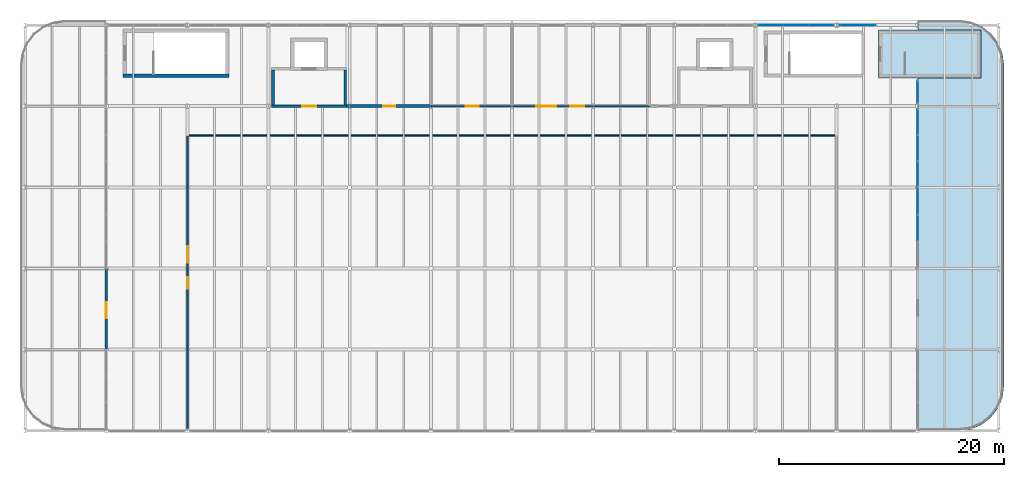
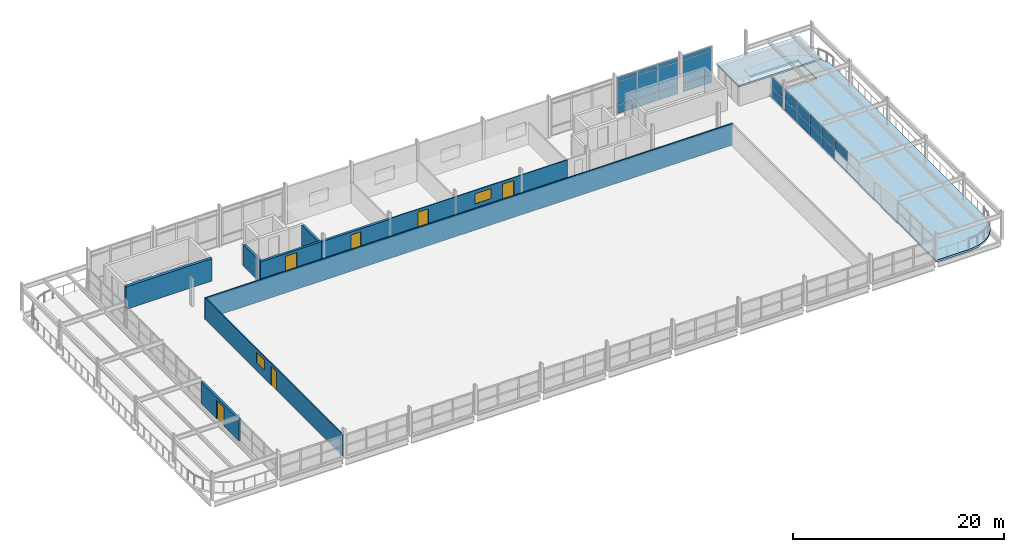
# One storey, part 20 of 25: 23 plates, 10 walls, 6 doors, 2 slabs, 2 windows, 8 openings, 5 elements without a shape of their own.
"""IFC4 building model written with IfcOpenShell, lengths in metres."""

from ifc_helpers import new_model, si_unit, direction, frame, frame_2d, origin, origin_2d, place, context, subcontext, project, spatial, polyline, rectangle, outline, extrude, material, layer, layer_set, type_object, element, fill, aggregate, save


model = new_model("IFC4")

# Units and contexts
model_context = context("Model", 3, precision=1e-05, world=origin(), true_north=direction((0.0, 1.0)))
body_context = subcontext(model_context, "Body", "Model", "MODEL_VIEW")
ifc_project = project(units=[si_unit("LENGTHUNIT", "METRE"), si_unit("AREAUNIT", "SQUARE_METRE"), si_unit("VOLUMEUNIT", "CUBIC_METRE"), si_unit("PLANEANGLEUNIT", "RADIAN"), si_unit("MASSUNIT", "GRAM", prefix="KILO")], contexts=[model_context])

# Site, building, storey
site_placement = place(None, origin())
site = spatial("IfcSite", under=ifc_project, at=site_placement, CompositionType="ELEMENT")
building_placement = place(site_placement, origin())
building = spatial("IfcBuilding", under=site, at=building_placement, Name="Vaelcorin Mobility Hub", CompositionType="ELEMENT")
storey_placement = place(building_placement, frame((0.0, 0.0, 21.0)))
storey = spatial("IfcBuildingStorey", under=building, at=storey_placement, Name="L05", CompositionType="ELEMENT", Elevation=21.0)

# Curtain wall, plates
ifc_material_1 = material(Name="Anodised aluminium 6063-T6", Category="aluminium")
curtain_wall_type = type_object("IfcCurtainWallType", Name="CW-SPT-B", PredefinedType="NOTDEFINED", material=ifc_material_1)
curtain_wall_1_placement = place(storey_placement, origin())
curtain_wall_1 = element("IfcCurtainWall", 1, at=curtain_wall_1_placement, inside=storey, type_object=curtain_wall_type, Name="L05 Curtain Wall CW-V3-E-03", PredefinedType="NOTDEFINED")
ifc_material_2 = material(Name="Low-E solar-control insulated glazing", Category="glass")
ifc_layer_1 = layer(ifc_material_2, 0.028076171875)
ifc_layer_set_1 = layer_set([ifc_layer_1], Name="Low-E solar-control insulated glazing")
plate_type_1 = type_object("IfcPlateType", Name="CW-PAN-GLZ28", PredefinedType="CURTAIN_PANEL", material=ifc_layer_set_1)
plate_1_placement = place(storey_placement, frame((115.199951171875, 104.383544921875, 0.06005859375), z_axis=(0.0, 0.0, 1.0), x_axis=(0.0, -1.0, 0.0)))
plate_1 = element("IfcPlate", 2, at=plate_1_placement, type_object=plate_type_1, Name="CW6 panel 1.1", PredefinedType="CURTAIN_PANEL", context=body_context, shape_type="SweptSolid", body=[
    extrude(rectangle(XDim=2.30859375, YDim=0.028076171875, at=origin_2d()), origin(), (0.0, 0.0, 1.0), 1.159912109375),
])
plate_2_placement = place(storey_placement, frame((115.199951171875, 104.383544921875, 1.2802734375), z_axis=(0.0, 0.0, 1.0), x_axis=(0.0, -1.0, 0.0)))
plate_2 = element("IfcPlate", 3, at=plate_2_placement, type_object=plate_type_1, Name="CW6 panel 1.2", PredefinedType="CURTAIN_PANEL", context=body_context, shape_type="SweptSolid", body=[
    extrude(rectangle(XDim=2.30859375, YDim=0.028076171875, at=origin_2d()), origin(), (0.0, 0.0, 1.0), 1.159912109375),
])
plate_3_placement = place(storey_placement, frame((115.199951171875, 102.0, 1.2802734375), z_axis=(0.0, 0.0, 1.0), x_axis=(0.0, -1.0, 0.0)))
plate_3 = element("IfcPlate", 4, at=plate_3_placement, type_object=plate_type_1, Name="CW6 panel 2.2", PredefinedType="CURTAIN_PANEL", context=body_context, shape_type="SweptSolid", body=[
    extrude(rectangle(XDim=2.338623046875, YDim=0.028076171875, at=origin_2d()), origin(), (0.0, 0.0, 1.0), 1.159912109375),
])
aggregate(curtain_wall_1, [plate_1, plate_2, plate_3])

curtain_wall_2_placement = place(storey_placement, origin())
curtain_wall_2 = element("IfcCurtainWall", 5, at=curtain_wall_2_placement, inside=storey, type_object=curtain_wall_type, Name="L05 Curtain Wall CW-V3-E-04", PredefinedType="NOTDEFINED")
plate_4_placement = place(storey_placement, frame((115.199951171875, 111.402099609375, 0.06005859375), z_axis=(0.0, 0.0, 1.0), x_axis=(0.0, -1.0, 0.0)))
plate_4 = element("IfcPlate", 6, at=plate_4_placement, type_object=plate_type_1, Name="CW6 panel 1.1", PredefinedType="CURTAIN_PANEL", context=body_context, shape_type="SweptSolid", body=[
    extrude(rectangle(XDim=2.236083984375, YDim=0.028076171875, at=origin_2d()), origin(), (0.0, 0.0, 1.0), 1.159912109375),
])
plate_5_placement = place(storey_placement, frame((115.199951171875, 111.402099609375, 1.2802734375), z_axis=(0.0, 0.0, 1.0), x_axis=(0.0, -1.0, 0.0)))
plate_5 = element("IfcPlate", 7, at=plate_5_placement, type_object=plate_type_1, Name="CW6 panel 1.2", PredefinedType="CURTAIN_PANEL", context=body_context, shape_type="SweptSolid", body=[
    extrude(rectangle(XDim=2.236083984375, YDim=0.028076171875, at=origin_2d()), origin(), (0.0, 0.0, 1.0), 1.159912109375),
])
plate_6_placement = place(storey_placement, frame((115.199951171875, 109.091064453125, 0.06005859375), z_axis=(0.0, 0.0, 1.0), x_axis=(0.0, -1.0, 0.0)))
plate_6 = element("IfcPlate", 8, at=plate_6_placement, type_object=plate_type_1, Name="CW6 panel 2.1", PredefinedType="CURTAIN_PANEL", context=body_context, shape_type="SweptSolid", body=[
    extrude(rectangle(XDim=2.26611328125, YDim=0.028076171875, at=origin_2d()), origin(), (0.0, 0.0, 1.0), 1.159912109375),
])
plate_7_placement = place(storey_placement, frame((115.199951171875, 109.091064453125, 1.2802734375), z_axis=(0.0, 0.0, 1.0), x_axis=(0.0, -1.0, 0.0)))
plate_7 = element("IfcPlate", 9, at=plate_7_placement, type_object=plate_type_1, Name="CW6 panel 2.2", PredefinedType="CURTAIN_PANEL", context=body_context, shape_type="SweptSolid", body=[
    extrude(rectangle(XDim=2.26611328125, YDim=0.028076171875, at=origin_2d()), origin(), (0.0, 0.0, 1.0), 1.159912109375),
])
plate_8_placement = place(storey_placement, frame((115.199951171875, 106.780029296875, 0.06005859375), z_axis=(0.0, 0.0, 1.0), x_axis=(0.0, -1.0, 0.0)))
plate_8 = element("IfcPlate", 10, at=plate_8_placement, type_object=plate_type_1, Name="CW6 panel 3.1", PredefinedType="CURTAIN_PANEL", context=body_context, shape_type="SweptSolid", body=[
    extrude(rectangle(XDim=2.236083984375, YDim=0.028076171875, at=origin_2d()), origin(), (0.0, 0.0, 1.0), 1.159912109375),
])
plate_9_placement = place(storey_placement, frame((115.199951171875, 106.780029296875, 1.2802734375), z_axis=(0.0, 0.0, 1.0), x_axis=(0.0, -1.0, 0.0)))
plate_9 = element("IfcPlate", 11, at=plate_9_placement, type_object=plate_type_1, Name="CW6 panel 3.2", PredefinedType="CURTAIN_PANEL", context=body_context, shape_type="SweptSolid", body=[
    extrude(rectangle(XDim=2.236083984375, YDim=0.028076171875, at=origin_2d()), origin(), (0.0, 0.0, 1.0), 1.159912109375),
])
aggregate(curtain_wall_2, [plate_4, plate_5, plate_6, plate_7, plate_8, plate_9])

curtain_wall_3_placement = place(storey_placement, origin())
curtain_wall_3 = element("IfcCurtainWall", 12, at=curtain_wall_3_placement, inside=storey, type_object=curtain_wall_type, Name="L05 Curtain Wall CW-V3-E-05", PredefinedType="NOTDEFINED")
plate_10_placement = place(storey_placement, frame((115.199951171875, 114.06005859375, 0.06005859375), z_axis=(0.0, 0.0, 1.0), x_axis=(0.0, -1.0, 0.0)))
plate_10 = element("IfcPlate", 13, at=plate_10_placement, type_object=plate_type_1, Name="CW6 panel 1.1", PredefinedType="CURTAIN_PANEL", context=body_context, shape_type="SweptSolid", body=[
    extrude(rectangle(XDim=1.9599609375, YDim=0.028076171875, at=origin_2d()), origin(), (0.0, 0.0, 1.0), 1.159912109375),
])
plate_11_placement = place(storey_placement, frame((115.199951171875, 114.06005859375, 1.2802734375), z_axis=(0.0, 0.0, 1.0), x_axis=(0.0, -1.0, 0.0)))
plate_11 = element("IfcPlate", 14, at=plate_11_placement, type_object=plate_type_1, Name="CW6 panel 1.2", PredefinedType="CURTAIN_PANEL", context=body_context, shape_type="SweptSolid", body=[
    extrude(rectangle(XDim=1.9599609375, YDim=0.028076171875, at=origin_2d()), origin(), (0.0, 0.0, 1.0), 1.159912109375),
])
aggregate(curtain_wall_3, [plate_10, plate_11])

curtain_wall_4_placement = place(storey_placement, origin())
curtain_wall_4 = element("IfcCurtainWall", 15, at=curtain_wall_4_placement, inside=storey, type_object=curtain_wall_type, Name="L05 Curtain Wall CW-V3-N-09", PredefinedType="NOTDEFINED")
ifc_layer_2 = layer(ifc_material_2, 0.031982421875)
ifc_layer_set_2 = layer_set([ifc_layer_2], Name="Low-E solar-control insulated glazing")
plate_type_2 = type_object("IfcPlateType", Name="CW-PAN-GLZ32", PredefinedType="CURTAIN_PANEL", material=ifc_layer_set_2)
plate_12_placement = place(storey_placement, frame((102.16162109375, 120.0, 0.06005859375), z_axis=(0.0, 0.0, 1.0), x_axis=(1.0, 0.0, 0.0)))
plate_12 = element("IfcPlate", 16, at=plate_12_placement, type_object=plate_type_2, Name="CW6 panel 1.1", PredefinedType="CURTAIN_PANEL", context=body_context, shape_type="SweptSolid", body=[
    extrude(rectangle(XDim=2.163330078125, YDim=0.028076171875, at=origin_2d()), origin(), (0.0, 0.0, 1.0), 0.9599609375),
])
plate_13_placement = place(storey_placement, frame((102.16162109375, 120.0, 1.080078125), z_axis=(0.0, 0.0, 1.0), x_axis=(1.0, 0.0, 0.0)))
plate_13 = element("IfcPlate", 17, at=plate_13_placement, type_object=plate_type_2, Name="CW6 panel 1.2", PredefinedType="CURTAIN_PANEL", context=body_context, shape_type="SweptSolid", body=[
    extrude(rectangle(XDim=2.163330078125, YDim=0.028076171875, at=origin_2d()), origin(), (0.0, 0.0, 1.0), 2.639892578125),
])
plate_14_placement = place(storey_placement, frame((102.16162109375, 120.0, 3.780029296875), z_axis=(0.0, 0.0, 1.0), x_axis=(1.0, 0.0, 0.0)))
plate_14 = element("IfcPlate", 18, at=plate_14_placement, type_object=plate_type_2, Name="CW6 panel 1.3", PredefinedType="CURTAIN_PANEL", context=body_context, shape_type="SweptSolid", body=[
    extrude(rectangle(XDim=2.163330078125, YDim=0.028076171875, at=origin_2d()), origin(), (0.0, 0.0, 1.0), 0.4599609375),
])
plate_15_placement = place(storey_placement, frame((104.39990234375, 120.0, 0.06005859375), z_axis=(0.0, 0.0, 1.0), x_axis=(1.0, 0.0, 0.0)))
plate_15 = element("IfcPlate", 19, at=plate_15_placement, type_object=plate_type_2, Name="CW6 panel 2.1", PredefinedType="CURTAIN_PANEL", context=body_context, shape_type="SweptSolid", body=[
    extrude(rectangle(XDim=2.193359375, YDim=0.028076171875, at=origin_2d()), origin(), (0.0, 0.0, 1.0), 0.9599609375),
])
plate_16_placement = place(storey_placement, frame((104.39990234375, 120.0, 1.080078125), z_axis=(0.0, 0.0, 1.0), x_axis=(1.0, 0.0, 0.0)))
plate_16 = element("IfcPlate", 20, at=plate_16_placement, type_object=plate_type_2, Name="CW6 panel 2.2", PredefinedType="CURTAIN_PANEL", context=body_context, shape_type="SweptSolid", body=[
    extrude(rectangle(XDim=2.193359375, YDim=0.028076171875, at=origin_2d()), origin(), (0.0, 0.0, 1.0), 2.639892578125),
])
plate_17_placement = place(storey_placement, frame((104.39990234375, 120.0, 3.780029296875), z_axis=(0.0, 0.0, 1.0), x_axis=(1.0, 0.0, 0.0)))
plate_17 = element("IfcPlate", 21, at=plate_17_placement, type_object=plate_type_2, Name="CW6 panel 2.3", PredefinedType="CURTAIN_PANEL", context=body_context, shape_type="SweptSolid", body=[
    extrude(rectangle(XDim=2.193359375, YDim=0.028076171875, at=origin_2d()), origin(), (0.0, 0.0, 1.0), 0.4599609375),
])
plate_18_placement = place(storey_placement, frame((106.638427734375, 120.0, 0.06005859375), z_axis=(0.0, 0.0, 1.0), x_axis=(1.0, 0.0, 0.0)))
plate_18 = element("IfcPlate", 22, at=plate_18_placement, type_object=plate_type_2, Name="CW6 panel 3.1", PredefinedType="CURTAIN_PANEL", context=body_context, shape_type="SweptSolid", body=[
    extrude(rectangle(XDim=2.163330078125, YDim=0.028076171875, at=origin_2d()), origin(), (0.0, 0.0, 1.0), 0.9599609375),
])
plate_19_placement = place(storey_placement, frame((106.638427734375, 120.0, 1.080078125), z_axis=(0.0, 0.0, 1.0), x_axis=(1.0, 0.0, 0.0)))
plate_19 = element("IfcPlate", 23, at=plate_19_placement, type_object=plate_type_2, Name="CW6 panel 3.2", PredefinedType="CURTAIN_PANEL", context=body_context, shape_type="SweptSolid", body=[
    extrude(rectangle(XDim=2.163330078125, YDim=0.028076171875, at=origin_2d()), origin(), (0.0, 0.0, 1.0), 2.639892578125),
])
plate_20_placement = place(storey_placement, frame((106.638427734375, 120.0, 3.780029296875), z_axis=(0.0, 0.0, 1.0), x_axis=(1.0, 0.0, 0.0)))
plate_20 = element("IfcPlate", 24, at=plate_20_placement, type_object=plate_type_2, Name="CW6 panel 3.3", PredefinedType="CURTAIN_PANEL", context=body_context, shape_type="SweptSolid", body=[
    extrude(rectangle(XDim=2.163330078125, YDim=0.028076171875, at=origin_2d()), origin(), (0.0, 0.0, 1.0), 0.4599609375),
])
aggregate(curtain_wall_4, [plate_12, plate_13, plate_14, plate_15, plate_16, plate_17, plate_18, plate_19, plate_20])

curtain_wall_5_placement = place(storey_placement, origin())
curtain_wall_5 = element("IfcCurtainWall", 25, at=curtain_wall_5_placement, inside=storey, type_object=curtain_wall_type, Name="L05 Curtain Wall CW-V3-N-10", PredefinedType="NOTDEFINED")
plate_21_placement = place(storey_placement, frame((109.85009765625, 120.0, 0.06005859375), z_axis=(0.0, 0.0, 1.0), x_axis=(1.0, 0.0, 0.0)))
plate_21 = element("IfcPlate", 26, at=plate_21_placement, type_object=plate_type_2, Name="CW6 panel 1.1", PredefinedType="CURTAIN_PANEL", context=body_context, shape_type="SweptSolid", body=[
    extrude(rectangle(XDim=3.139892578125, YDim=0.028076171875, at=origin_2d()), origin(), (0.0, 0.0, 1.0), 0.9599609375),
])
plate_22_placement = place(storey_placement, frame((109.85009765625, 120.0, 1.080078125), z_axis=(0.0, 0.0, 1.0), x_axis=(1.0, 0.0, 0.0)))
plate_22 = element("IfcPlate", 27, at=plate_22_placement, type_object=plate_type_2, Name="CW6 panel 1.2", PredefinedType="CURTAIN_PANEL", context=body_context, shape_type="SweptSolid", body=[
    extrude(rectangle(XDim=3.139892578125, YDim=0.028076171875, at=origin_2d()), origin(), (0.0, 0.0, 1.0), 2.639892578125),
])
plate_23_placement = place(storey_placement, frame((109.85009765625, 120.0, 3.780029296875), z_axis=(0.0, 0.0, 1.0), x_axis=(1.0, 0.0, 0.0)))
plate_23 = element("IfcPlate", 28, at=plate_23_placement, type_object=plate_type_2, Name="CW6 panel 1.3", PredefinedType="CURTAIN_PANEL", context=body_context, shape_type="SweptSolid", body=[
    extrude(rectangle(XDim=3.139892578125, YDim=0.028076171875, at=origin_2d()), origin(), (0.0, 0.0, 1.0), 0.4599609375),
])
aggregate(curtain_wall_5, [plate_21, plate_22, plate_23])

# Slabs
ifc_material_3 = material(Name="Concrete f'c 35 MPa", Category="concrete")
ifc_layer_3 = layer(ifc_material_3, 0.199951171875)
ifc_layer_set_3 = layer_set([ifc_layer_3], Name="Concrete f'c 35 MPa")
slab_type_1 = type_object("IfcSlabType", Name="SLAB-RF-V4P", PredefinedType="ROOF", material=ifc_layer_set_3)
slab_1_placement = place(storey_placement, frame((0.0, 0.0, 2.25)))
element("IfcSlab", 29, at=slab_1_placement, inside=storey, type_object=slab_type_1, Name="ST9 Stair Headhouse Roof", PredefinedType="ROOF", context=body_context, shape_type="SweptSolid", body=[
    extrude(outline(polyline([(111.695068359375, 115.294921875), (120.804931640625, 115.294921875), (120.804931640625, 119.56494140625), (111.695068359375, 119.56494140625), (111.695068359375, 115.294921875)])), origin(), (0.0, 0.0, 1.0), 0.199951171875),
])
ifc_layer_4 = layer(ifc_material_3, 0.219970703125)
ifc_layer_set_4 = layer_set([ifc_layer_4], Name="Concrete f'c 35 MPa")
slab_type_2 = type_object("IfcSlabType", Name="SLAB-SD5", PredefinedType="FLOOR", material=ifc_layer_set_4)
slab_2_placement = place(storey_placement, frame((0.0, 0.0, -0.219970703125)))
element("IfcSlab", 30, at=slab_2_placement, inside=storey, type_object=slab_type_2, Name="L05 East Outdoor Basketball Deck SL-V3-L05-OUTE", PredefinedType="FLOOR", context=body_context, shape_type="SweptSolid", body=[
    extrude(outline(polyline([(115.2099609375, 120.449951171875), (118.85009765625, 120.449951171875), (119.885009765625, 120.31396484375), (120.85009765625, 119.9140625), (121.677978515625, 119.278076171875), (122.31396484375, 118.449951171875), (122.714111328125, 117.485107421875), (122.85009765625, 116.449951171875), (122.85009765625, 88.0), (122.714111328125, 86.965087890625), (122.31396484375, 86.0), (121.677978515625, 85.172119140625), (120.85009765625, 84.535888671875), (119.885009765625, 84.135986328125), (118.85009765625, 84.0), (115.2099609375, 84.0), (115.2099609375, 115.64990234375), (120.449951171875, 115.64990234375), (120.449951171875, 119.2099609375), (115.2099609375, 119.2099609375), (115.2099609375, 120.449951171875)])), origin(), (0.0, 0.0, 1.0), 0.219970703125),
])

# Wall
ifc_material_4 = material(Name="Reinforced concrete f'c 45 MPa", Category="concrete")
ifc_layer_5 = layer(ifc_material_4, 0.300048828125)
ifc_layer_set_5 = layer_set([ifc_layer_5], Name="Reinforced concrete f'c 45 MPa")
wall_type_1 = type_object("IfcWallType", Name="WL-CORE-300", PredefinedType="SOLIDWALL", material=ifc_layer_set_5)
wall_1_placement = place(storey_placement, frame((54.10009765625, 115.5, 0.0), z_axis=(0.0, 0.0, 1.0), x_axis=(-1.0, 0.0, 0.0)))
element("IfcWall", 31, at=wall_1_placement, inside=storey, type_object=wall_type_1, Name="ST3 Fire Core Wall L05 South", PredefinedType="SOLIDWALL", context=body_context, shape_type="SweptSolid", body=[
    extrude(rectangle(XDim=9.400146484375, YDim=0.300048828125, at=frame_2d((4.7001953125, 0.0))), origin(), (0.0, 0.0, 1.0), 2.60009765625),
])

# Wall, opening, door
ifc_material_5 = material(Name="Insulated exterior precast concrete C40/50", Category="concrete")
ifc_layer_6 = layer(ifc_material_5, 0.239990234375)
ifc_layer_set_6 = layer_set([ifc_layer_6], Name="Insulated exterior precast concrete C40/50")
wall_type_2 = type_object("IfcWallType", Name="WL-EXT-240", PredefinedType="STANDARD", material=ifc_layer_set_6)
wall_2_placement = place(storey_placement, frame((43.199951171875, 91.201904296875, 0.0), z_axis=(0.0, 0.0, 1.0), x_axis=(0.0, 1.0, 0.0)))
wall_2 = element("IfcWall", 32, at=wall_2_placement, inside=storey, type_object=wall_type_2, Name="L05 Exterior Wall V3-EW-W-DOOR", PredefinedType="STANDARD", context=body_context, shape_type="SweptSolid", body=[
    extrude(rectangle(XDim=7.196044921875, YDim=0.239990234375, at=frame_2d((3.59814453125, 0.0))), origin(), (0.0, 0.0, 1.0), 2.5),
])
opening_1_placement = place(wall_2_placement, frame((2.80810546875, 0.0, 0.0)))
opening_1 = element("IfcOpeningElement", 33, at=opening_1_placement, cuts=wall_2, Name="Opening ED04", PredefinedType="OPENING", context=body_context, shape_type="SweptSolid", body=[
    extrude(rectangle(XDim=1.39990234375, YDim=2.14990234375, at=frame_2d((0.699951171875, 1.074951171875))), frame((0.0, 0.1298828125, 0.0), z_axis=(0.0, -1.0, 0.0), x_axis=(1.0, 0.0, 0.0)), (0.0, 0.0, 1.0), 0.260009765625),
])
door_type_1 = type_object("IfcDoorType", Name="DR-EXT-1400X2150", OperationType="NOTDEFINED", PredefinedType="DOOR", material=ifc_material_1)
door_1_placement = place(opening_1_placement, origin())
door_1 = element("IfcDoor", 34, at=door_1_placement, inside=storey, type_object=door_type_1, Name="L05 Exterior Door DR-L05-OUTW", OperationType="SINGLE_SWING_RIGHT", OverallHeight=2.14990234375, OverallWidth=1.39990234375, PredefinedType="DOOR", context=body_context, shape_type="SweptSolid", body=[
    extrude(rectangle(XDim=1.39990234375, YDim=2.14990234375, at=frame_2d((0.699951171875, 1.074951171875))), frame((0.0, 0.02490234375, 0.0), z_axis=(0.0, -1.0, 0.0), x_axis=(1.0, 0.0, 0.0)), (0.0, 0.0, 1.0), 0.050048828125),
])
fill(opening_1, door_1)

# Wall, openings, door, window
ifc_material_6 = material(Name="Fire-rated acoustic steel-stud gypsum board", Category="steel")
ifc_layer_7 = layer(ifc_material_6, 0.10009765625)
ifc_layer_set_7 = layer_set([ifc_layer_7], Name="Fire-rated acoustic steel-stud gypsum board")
wall_type_3 = type_object("IfcWallType", Name="WL-PART-100", PredefinedType="PARTITIONING", material=ifc_layer_set_7)
wall_3_placement = place(storey_placement, frame((91.47998046875, 112.800048828125, 0.0), z_axis=(0.0, 0.0, 1.0), x_axis=(-1.0, 0.0, 0.0)))
wall_3 = element("IfcWall", 35, at=wall_3_placement, inside=storey, type_object=wall_type_3, Name="Sports Equipment Store Partition South", PredefinedType="PARTITIONING", context=body_context, shape_type="SweptSolid", body=[
    extrude(rectangle(XDim=12.197998046875, YDim=0.10009765625, at=frame_2d((6.09912109375, 0.0))), origin(), (0.0, 0.0, 1.0), 2.5),
])
opening_2_placement = place(wall_3_placement, frame((5.87890625, 0.0, 0.0)))
opening_2 = element("IfcOpeningElement", 36, at=opening_2_placement, cuts=wall_3, Name="Opening ID18", PredefinedType="OPENING", context=body_context, shape_type="SweptSolid", body=[
    extrude(rectangle(XDim=1.239990234375, YDim=2.159912109375, at=frame_2d((0.6201171875, 1.080078125))), frame((0.0, 0.06005859375, 0.0), z_axis=(0.0, -1.0, 0.0), x_axis=(1.0, 0.0, 0.0)), (0.0, 0.0, 1.0), 0.1201171875),
])
opening_3_placement = place(wall_3_placement, frame((8.368896484375, 0.0, 0.949951171875)))
opening_3 = element("IfcOpeningElement", 37, at=opening_3_placement, cuts=wall_3, Name="Opening IW-WN08", PredefinedType="OPENING", context=body_context, shape_type="SweptSolid", body=[
    extrude(rectangle(XDim=1.75, YDim=1.14990234375, at=frame_2d((0.875, 0.574951171875))), frame((0.0, 0.06005859375, 0.0), z_axis=(0.0, -1.0, 0.0), x_axis=(1.0, 0.0, 0.0)), (0.0, 0.0, 1.0), 0.1201171875),
])
ifc_material_7 = material(Name="Solid-core hardwood fire door assembly", Category="wood")
door_type_2 = type_object("IfcDoorType", Name="DR-INT-18", OperationType="NOTDEFINED", PredefinedType="DOOR", material=ifc_material_7)
door_2_placement = place(opening_2_placement, origin())
door_2 = element("IfcDoor", 38, at=door_2_placement, inside=storey, type_object=door_type_2, Name="Sports Equipment Store Door", OperationType="SINGLE_SWING_RIGHT", OverallHeight=2.159912109375, OverallWidth=1.239990234375, PredefinedType="DOOR", context=body_context, shape_type="SweptSolid", body=[
    extrude(rectangle(XDim=1.239990234375, YDim=2.159912109375, at=frame_2d((0.6201171875, 1.080078125))), frame((0.0, 0.02490234375, 0.0), z_axis=(0.0, -1.0, 0.0), x_axis=(1.0, 0.0, 0.0)), (0.0, 0.0, 1.0), 0.050048828125),
])
fill(opening_2, door_2)
ifc_material_8 = material(Name="Acoustic laminated fire-rated interior glazing", Category="glass")
window_type_1 = type_object("IfcWindowType", Name="WIN-INT-08", PartitioningType="SINGLE_PANEL", PredefinedType="WINDOW", material=ifc_material_8)
window_1_placement = place(opening_3_placement, origin())
window_1 = element("IfcWindow", 39, at=window_1_placement, inside=storey, type_object=window_type_1, Name="Sports Equipment Store Observation Glazing", OverallHeight=1.14990234375, OverallWidth=1.75, PartitioningType="SINGLE_PANEL", PredefinedType="WINDOW", context=body_context, shape_type="SweptSolid", body=[
    extrude(rectangle(XDim=1.75, YDim=1.14990234375, at=frame_2d((0.875, 0.574951171875))), frame((0.0, 0.030029296875, 0.0), z_axis=(0.0, -1.0, 0.0), x_axis=(1.0, 0.0, 0.0)), (0.0, 0.0, 1.0), 0.06005859375),
])
fill(opening_3, window_1)

# Wall
ifc_layer_8 = layer(ifc_material_6, 0.110107421875)
ifc_layer_set_8 = layer_set([ifc_layer_8], Name="Fire-rated acoustic steel-stud gypsum board")
wall_type_4 = type_object("IfcWallType", Name="WL-PART-110", PredefinedType="PARTITIONING", material=ifc_layer_set_8)
wall_4_placement = place(storey_placement, frame((50.320068359375, 110.199951171875, 0.0), z_axis=(0.0, 0.0, 1.0), x_axis=(1.0, 0.0, 0.0)))
element("IfcWall", 40, at=wall_4_placement, inside=storey, type_object=wall_type_4, Name="Multi-Sport Court Hall Partition North", PredefinedType="PARTITIONING", context=body_context, shape_type="SweptSolid", body=[
    extrude(rectangle(XDim=57.760009765625, YDim=0.110107421875, at=frame_2d((28.8798828125, 0.0))), origin(), (0.0, 0.0, 1.0), 2.5),
])

# Wall, openings, door, window
ifc_layer_9 = layer(ifc_material_6, 0.114990234375)
ifc_layer_set_9 = layer_set([ifc_layer_9], Name="Fire-rated acoustic steel-stud gypsum board")
wall_type_5 = type_object("IfcWallType", Name="WL-PART-115", PredefinedType="PARTITIONING", material=ifc_layer_set_9)
wall_5_placement = place(storey_placement, frame((50.39990234375, 84.1220703125, 0.0), z_axis=(0.0, 0.0, 1.0), x_axis=(0.0, 1.0, 0.0)))
wall_5 = element("IfcWall", 41, at=wall_5_placement, inside=storey, type_object=wall_type_5, Name="Multi-Sport Court Hall Partition West", PredefinedType="PARTITIONING", context=body_context, shape_type="SweptSolid", body=[
    extrude(rectangle(XDim=26.02099609375, YDim=0.114990234375, at=frame_2d((13.010498046875, 0.0))), origin(), (0.0, 0.0, 1.0), 2.5),
])
opening_4_placement = place(wall_5_placement, frame((12.5, 0.0, 0.0)))
opening_4 = element("IfcOpeningElement", 42, at=opening_4_placement, cuts=wall_5, Name="Opening ID15", PredefinedType="OPENING", context=body_context, shape_type="SweptSolid", body=[
    extrude(rectangle(XDim=1.02001953125, YDim=2.159912109375, at=frame_2d((0.510009765625, 1.080078125))), frame((0.0, 0.0673828125, 0.0), z_axis=(0.0, -1.0, 0.0), x_axis=(1.0, 0.0, 0.0)), (0.0, 0.0, 1.0), 0.135009765625),
])
opening_5_placement = place(wall_5_placement, frame((14.77001953125, 0.0, 0.949951171875)))
opening_5 = element("IfcOpeningElement", 43, at=opening_5_placement, cuts=wall_5, Name="Opening IW-WN07", PredefinedType="OPENING", context=body_context, shape_type="SweptSolid", body=[
    extrude(rectangle(XDim=1.5, YDim=1.14990234375, at=frame_2d((0.75, 0.574951171875))), frame((0.0, 0.0673828125, 0.0), z_axis=(0.0, -1.0, 0.0), x_axis=(1.0, 0.0, 0.0)), (0.0, 0.0, 1.0), 0.135009765625),
])
door_type_3 = type_object("IfcDoorType", Name="DR-INT-15", OperationType="NOTDEFINED", PredefinedType="DOOR", material=ifc_material_7)
door_3_placement = place(opening_4_placement, origin())
door_3 = element("IfcDoor", 44, at=door_3_placement, inside=storey, type_object=door_type_3, Name="Multi-Sport Court Hall Door", OperationType="SINGLE_SWING_LEFT", OverallHeight=2.159912109375, OverallWidth=1.02001953125, PredefinedType="DOOR", context=body_context, shape_type="SweptSolid", body=[
    extrude(rectangle(XDim=1.02001953125, YDim=2.159912109375, at=frame_2d((0.510009765625, 1.080078125))), frame((0.0, 0.02490234375, 0.0), z_axis=(0.0, -1.0, 0.0), x_axis=(1.0, 0.0, 0.0)), (0.0, 0.0, 1.0), 0.050048828125),
])
fill(opening_4, door_3)
window_type_2 = type_object("IfcWindowType", Name="WIN-INT-07", PartitioningType="SINGLE_PANEL", PredefinedType="WINDOW", material=ifc_material_8)
window_2_placement = place(opening_5_placement, origin())
window_2 = element("IfcWindow", 45, at=window_2_placement, inside=storey, type_object=window_type_2, Name="Multi-Sport Court Hall Observation Glazing", OverallHeight=1.14990234375, OverallWidth=1.5, PartitioningType="SINGLE_PANEL", PredefinedType="WINDOW", context=body_context, shape_type="SweptSolid", body=[
    extrude(rectangle(XDim=1.5, YDim=1.14990234375, at=frame_2d((0.75, 0.574951171875))), frame((0.0, 0.030029296875, 0.0), z_axis=(0.0, -1.0, 0.0), x_axis=(1.0, 0.0, 0.0)), (0.0, 0.0, 1.0), 0.06005859375),
])
fill(opening_5, window_2)

# Wall, opening, door
ifc_material_9 = material(Name="Reinforced acoustic concrete masonry C30/37", Category="masonry")
ifc_layer_10 = layer(ifc_material_9, 0.25)
ifc_layer_set_10 = layer_set([ifc_layer_10], Name="Reinforced acoustic concrete masonry C30/37")
wall_type_6 = type_object("IfcWallType", Name="WL-PART-250", PredefinedType="PARTITIONING", material=ifc_layer_set_10)
wall_6_placement = place(storey_placement, frame((64.52490234375, 112.800048828125, 0.0), z_axis=(0.0, 0.0, 1.0), x_axis=(-1.0, 0.0, 0.0)))
wall_6 = element("IfcWall", 46, at=wall_6_placement, inside=storey, type_object=wall_type_6, Name="Firefighting Lobby West L05 Partition South", PredefinedType="PARTITIONING", context=body_context, shape_type="SweptSolid", body=[
    extrude(rectangle(XDim=6.64990234375, YDim=0.25, at=frame_2d((3.324951171875, 0.0))), origin(), (0.0, 0.0, 1.0), 2.5),
])
opening_6_placement = place(wall_6_placement, frame((2.699951171875, 0.0, 0.0)))
opening_6 = element("IfcOpeningElement", 47, at=opening_6_placement, cuts=wall_6, Name="Opening SD02", PredefinedType="OPENING", context=body_context, shape_type="SweptSolid", body=[
    extrude(rectangle(XDim=1.25, YDim=2.199951171875, at=frame_2d((0.625, 1.10009765625))), frame((0.0, 0.135009765625, 0.0), z_axis=(0.0, -1.0, 0.0), x_axis=(1.0, 0.0, 0.0)), (0.0, 0.0, 1.0), 0.27001953125),
])
ifc_material_10 = material(Name="Hollow-metal insulated steel fire door", Category="steel")
door_type_4 = type_object("IfcDoorType", Name="DR-STAIR-FF", OperationType="NOTDEFINED", PredefinedType="DOOR", material=ifc_material_10)
door_4_placement = place(opening_6_placement, origin())
door_4 = element("IfcDoor", 48, at=door_4_placement, inside=storey, type_object=door_type_4, Name="Firefighting Lobby West L05 Door", OperationType="SINGLE_SWING_LEFT", OverallHeight=2.199951171875, OverallWidth=1.25, PredefinedType="DOOR", context=body_context, shape_type="SweptSolid", body=[
    extrude(rectangle(XDim=1.25, YDim=2.199951171875, at=frame_2d((0.625, 1.10009765625))), frame((0.0, 0.02490234375, 0.0), z_axis=(0.0, -1.0, 0.0), x_axis=(1.0, 0.0, 0.0)), (0.0, 0.0, 1.0), 0.050048828125),
])
fill(opening_6, door_4)

# Walls
for number, where, z_axis, x_axis, name in (
    (49, (58.0, 112.927001953125, 0.0), (0.0, 0.0, 1.0), (0.0, 1.0, 0.0), "Firefighting Lobby West L05 Partition West"),
    (50, (64.39990234375, 115.998046875, 0.0), (0.0, 0.0, 1.0), (0.0, -1.0, 0.0), "Firefighting Lobby West L05 Partition East"),
):
    element("IfcWall", number, at=place(storey_placement, frame(where, z_axis=z_axis, x_axis=x_axis)), inside=storey, type_object=wall_type_6, Name=name, PredefinedType="PARTITIONING", context=body_context, shape_type="SweptSolid", body=[
        extrude(rectangle(XDim=3.071044921875, YDim=0.25, at=frame_2d((1.53564453125, 0.0))), origin(), (0.0, 0.0, 1.0), 2.5),
    ])

# Wall, opening, door
ifc_layer_11 = layer(ifc_material_9, 0.27001953125)
ifc_layer_set_11 = layer_set([ifc_layer_11], Name="Reinforced acoustic concrete masonry C30/37")
wall_type_7 = type_object("IfcWallType", Name="WL-PART-270", PredefinedType="PARTITIONING", material=ifc_layer_set_11)
wall_7_placement = place(storey_placement, frame((72.080078125, 112.800048828125, 0.0), z_axis=(0.0, 0.0, 1.0), x_axis=(-1.0, 0.0, 0.0)))
wall_7 = element("IfcWall", 51, at=wall_7_placement, inside=storey, type_object=wall_type_7, Name="West Sports Changing and Showers Partition South", PredefinedType="PARTITIONING", context=body_context, shape_type="SweptSolid", body=[
    extrude(rectangle(XDim=7.552978515625, YDim=0.27001953125, at=frame_2d((3.7763671875, 0.0))), origin(), (0.0, 0.0, 1.0), 2.5),
])
opening_7_placement = place(wall_7_placement, frame((3.236083984375, 0.0, 0.0)))
opening_7 = element("IfcOpeningElement", 52, at=opening_7_placement, cuts=wall_7, Name="Opening ID16", PredefinedType="OPENING", context=body_context, shape_type="SweptSolid", body=[
    extrude(rectangle(XDim=1.080078125, YDim=2.159912109375, at=frame_2d((0.5400390625, 1.080078125))), frame((0.0, 0.14501953125, 0.0), z_axis=(0.0, -1.0, 0.0), x_axis=(1.0, 0.0, 0.0)), (0.0, 0.0, 1.0), 0.2900390625),
])
door_type_5 = type_object("IfcDoorType", Name="DR-INT-16", OperationType="NOTDEFINED", PredefinedType="DOOR", material=ifc_material_7)
door_5_placement = place(opening_7_placement, origin())
door_5 = element("IfcDoor", 53, at=door_5_placement, inside=storey, type_object=door_type_5, Name="West Sports Changing and Showers Door", OperationType="SINGLE_SWING_RIGHT", OverallHeight=2.159912109375, OverallWidth=1.080078125, PredefinedType="DOOR", context=body_context, shape_type="SweptSolid", body=[
    extrude(rectangle(XDim=1.080078125, YDim=2.159912109375, at=frame_2d((0.5400390625, 1.080078125))), frame((0.0, 0.02490234375, 0.0), z_axis=(0.0, -1.0, 0.0), x_axis=(1.0, 0.0, 0.0)), (0.0, 0.0, 1.0), 0.050048828125),
])
fill(opening_7, door_5)

ifc_layer_12 = layer(ifc_material_6, 0.094970703125)
ifc_layer_set_12 = layer_set([ifc_layer_12], Name="Fire-rated acoustic steel-stud gypsum board")
wall_type_8 = type_object("IfcWallType", Name="WL-PART-95", PredefinedType="PARTITIONING", material=ifc_layer_set_12)
wall_8_placement = place(storey_placement, frame((79.280029296875, 112.800048828125, 0.0), z_axis=(0.0, 0.0, 1.0), x_axis=(-1.0, 0.0, 0.0)))
wall_8 = element("IfcWall", 54, at=wall_8_placement, inside=storey, type_object=wall_type_8, Name="Rooftop Court Refreshment Kiosk Partition South", PredefinedType="PARTITIONING", context=body_context, shape_type="SweptSolid", body=[
    extrude(rectangle(XDim=7.197998046875, YDim=0.094970703125, at=frame_2d((3.59912109375, 0.0))), origin(), (0.0, 0.0, 1.0), 2.5),
])
opening_8_placement = place(wall_8_placement, frame((3.029052734375, 0.0, 0.0)))
opening_8 = element("IfcOpeningElement", 55, at=opening_8_placement, cuts=wall_8, Name="Opening ID17", PredefinedType="OPENING", context=body_context, shape_type="SweptSolid", body=[
    extrude(rectangle(XDim=1.139892578125, YDim=2.159912109375, at=frame_2d((0.56982421875, 1.080078125))), frame((0.0, 0.057373046875, 0.0), z_axis=(0.0, -1.0, 0.0), x_axis=(1.0, 0.0, 0.0)), (0.0, 0.0, 1.0), 0.114990234375),
])
door_type_6 = type_object("IfcDoorType", Name="DR-INT-17", OperationType="NOTDEFINED", PredefinedType="DOOR", material=ifc_material_7)
door_6_placement = place(opening_8_placement, origin())
door_6 = element("IfcDoor", 56, at=door_6_placement, inside=storey, type_object=door_type_6, Name="Rooftop Court Refreshment Kiosk Door", OperationType="SINGLE_SWING_LEFT", OverallHeight=2.159912109375, OverallWidth=1.139892578125, PredefinedType="DOOR", context=body_context, shape_type="SweptSolid", body=[
    extrude(rectangle(XDim=1.139892578125, YDim=2.159912109375, at=frame_2d((0.56982421875, 1.080078125))), frame((0.0, 0.02490234375, 0.0), z_axis=(0.0, -1.0, 0.0), x_axis=(1.0, 0.0, 0.0)), (0.0, 0.0, 1.0), 0.050048828125),
])
fill(opening_8, door_6)

save(model, "model.ifc")
